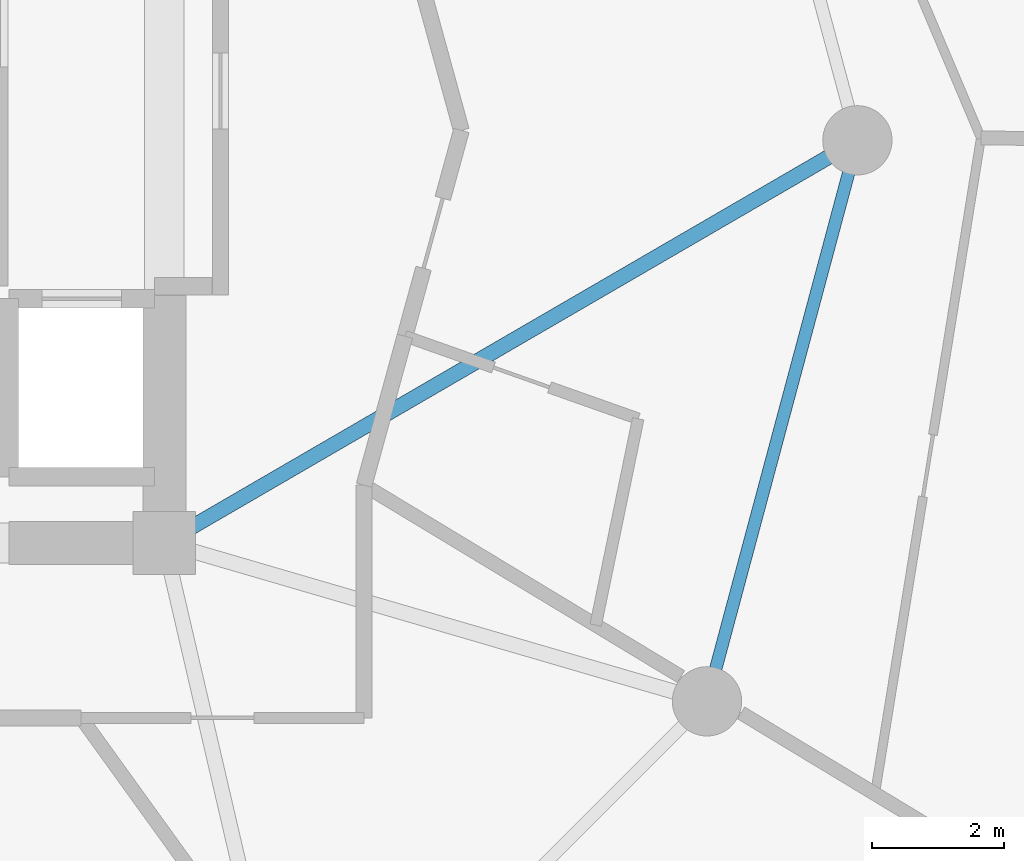
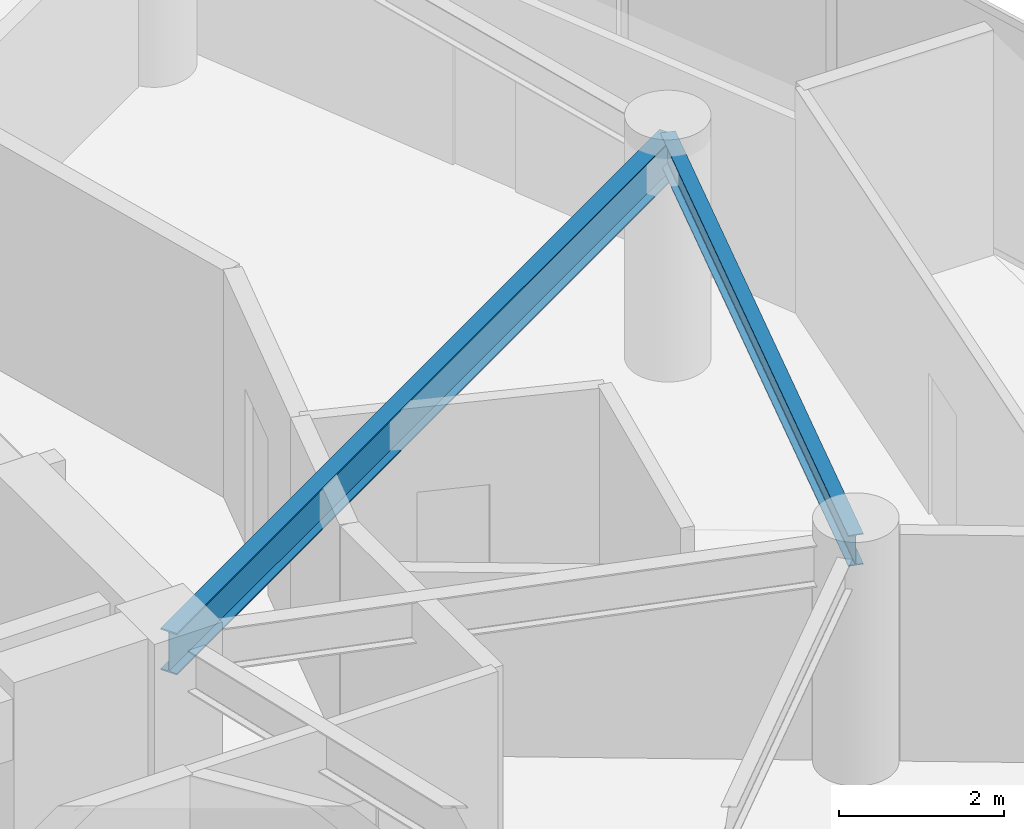
# One storey, part 12 of 26: 2 beams.
"""IFC4 building model written with IfcOpenShell, lengths in metres."""

from ifc_helpers import new_model, si_unit, direction, frame, origin, origin_2d, place, context, subcontext, project, spatial, i_section, extrude, material, material_profile, profile_set, type_object, element, save


model = new_model("IFC4")

# Units and contexts
model_context = context("Model", 3, precision=1e-05, world=origin(), true_north=direction((0.0, 1.0)))
body_context = subcontext(model_context, "Body", "Model", "MODEL_VIEW")
ifc_project = project(units=[si_unit("LENGTHUNIT", "METRE"), si_unit("AREAUNIT", "SQUARE_METRE"), si_unit("VOLUMEUNIT", "CUBIC_METRE"), si_unit("PLANEANGLEUNIT", "RADIAN"), si_unit("MASSUNIT", "GRAM", prefix="KILO")], contexts=[model_context])

# Site, building, storey
site_placement = place(None, origin())
site = spatial("IfcSite", under=ifc_project, at=site_placement, CompositionType="ELEMENT")
building_placement = place(site_placement, origin())
building = spatial("IfcBuilding", under=site, at=building_placement, Name="Solvirekh Grand Hotel", CompositionType="ELEMENT")
storey_placement = place(building_placement, frame((0.0, 0.0, 113.39990234375)))
storey = spatial("IfcBuildingStorey", under=building, at=storey_placement, Name="L28", CompositionType="ELEMENT", Elevation=113.39990234375)

# Beams
ifc_material = material(Name="Steel S355", Category="steel")
ifc_material_profile_1 = material_profile(ifc_material, i_section(OverallWidth=0.22802734375, OverallDepth=0.616943359375, WebThickness=0.012939453125, FlangeThickness=0.02001953125, FilletRadius=0.014892578125, at=origin_2d()), Name="W610X140")
ifc_profile_set_1 = profile_set([ifc_material_profile_1], Name="Steel S355")
beam_type_1 = type_object("IfcBeamType", Name="Beam_Radial_W610", PredefinedType="BEAM", material=ifc_profile_set_1)
beam_1_placement = place(storey_placement, frame((6.5, -6.10009765625, 3.0419921875), z_axis=(0.864670076815, 0.50234018181, 0.0), x_axis=(-0.50234018181, 0.864670076815, 0.0)))
element("IfcBeam", 1, at=beam_1_placement, inside=storey, type_object=beam_type_1, Name="L28 radial floor beam R01", PredefinedType="BEAM", context=body_context, shape_type="SweptSolid", body=[
    extrude(i_section(OverallWidth=0.22802734375, OverallDepth=0.616943359375, WebThickness=0.012939453125, FlangeThickness=0.02001953125, FilletRadius=0.014892578125, at=origin_2d()), origin(), (0.0, 0.0, 1.0), 12.143310546875),
])
ifc_material_profile_2 = material_profile(ifc_material, i_section(OverallWidth=0.18994140625, OverallDepth=0.45703125, WebThickness=0.009033203125, FlangeThickness=0.013916015625, FilletRadius=0.012939453125, at=origin_2d()), Name="W460X74")
ifc_profile_set_2 = profile_set([ifc_material_profile_2], Name="Steel S355")
beam_type_2 = type_object("IfcBeamType", Name="Spandrel_Ring_W460", PredefinedType="SPANDREL", material=ifc_profile_set_2)
beam_2_placement = place(storey_placement, frame((14.721923828125, -8.5, 3.1220703125), z_axis=(0.258872908946, 0.965911391906, 0.0), x_axis=(-0.965911391906, 0.258872908946, 0.0)))
element("IfcBeam", 2, at=beam_2_placement, inside=storey, type_object=beam_type_2, Name="L28 perimeter spandrel beam 12", PredefinedType="SPANDREL", context=body_context, shape_type="SweptSolid", body=[
    extrude(i_section(OverallWidth=0.18994140625, OverallDepth=0.45703125, WebThickness=0.009033203125, FlangeThickness=0.013916015625, FilletRadius=0.012939453125, at=origin_2d()), origin(), (0.0, 0.0, 1.0), 8.800048828125),
])

save(model, "model.ifc")
